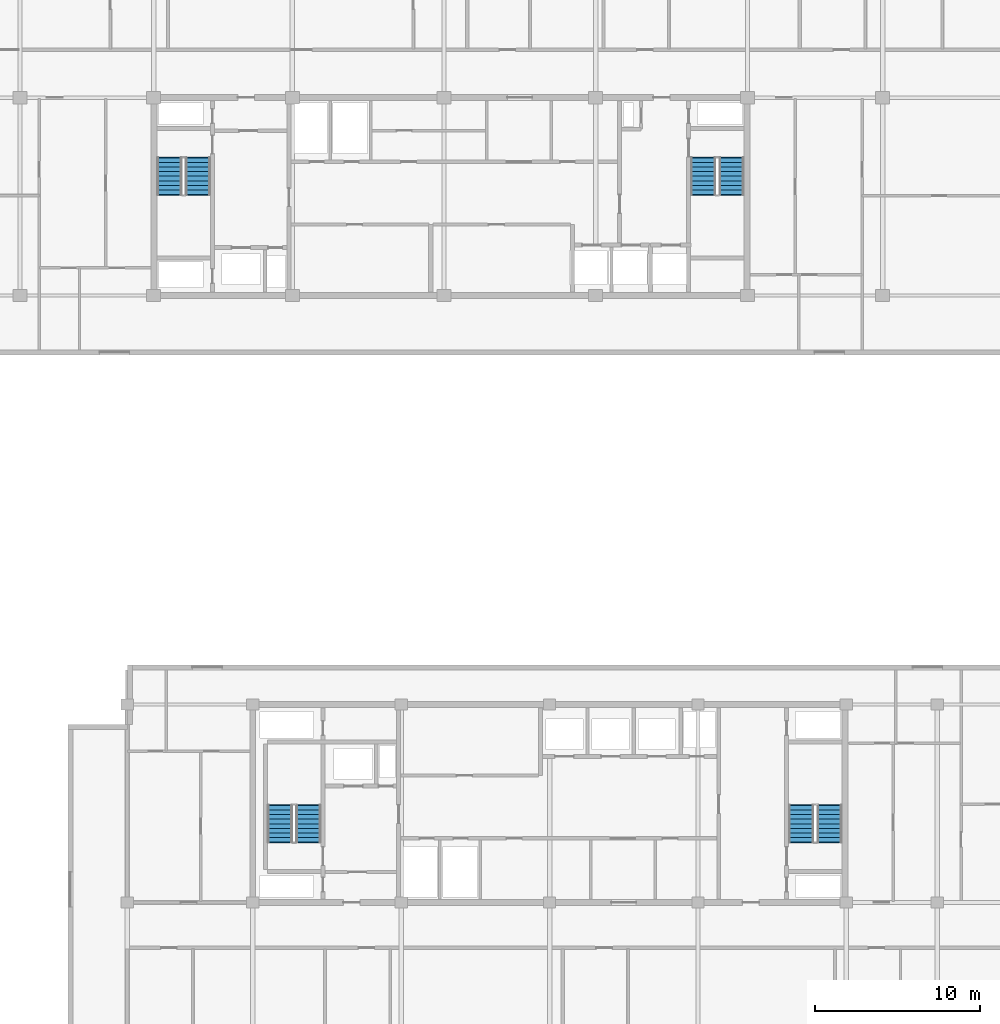
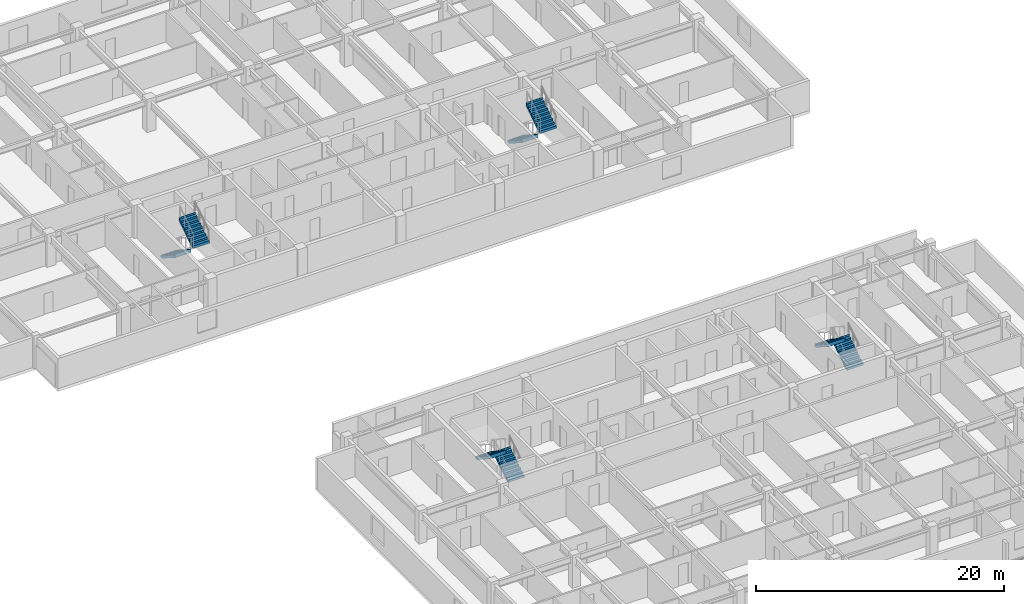
# One storey, part 16 of 21: 8 stair flights, 4 elements without a shape of their own.
"""IFC4 building model written with IfcOpenShell, lengths in metres."""

from ifc_helpers import new_model, si_unit, direction, frame, origin, place, context, subcontext, project, spatial, polyline, outline, extrude, material, type_object, element, aggregate, save


model = new_model("IFC4")

# Units and contexts
model_context = context("Model", 3, precision=1e-05, world=origin(), true_north=direction((0.0, 1.0)))
body_context = subcontext(model_context, "Body", "Model", "MODEL_VIEW")
ifc_project = project(units=[si_unit("LENGTHUNIT", "METRE"), si_unit("AREAUNIT", "SQUARE_METRE"), si_unit("VOLUMEUNIT", "CUBIC_METRE"), si_unit("PLANEANGLEUNIT", "RADIAN"), si_unit("MASSUNIT", "GRAM", prefix="KILO")], contexts=[model_context])

# Site, building, storey
site_placement = place(None, origin())
site = spatial("IfcSite", under=ifc_project, at=site_placement, CompositionType="ELEMENT")
building_placement = place(site_placement, origin())
building = spatial("IfcBuilding", under=site, at=building_placement, Name="Korimba Cascade Residences", CompositionType="ELEMENT")
storey_placement = place(building_placement, frame((0.0, 0.0, 184.85009765625)))
storey = spatial("IfcBuildingStorey", under=building, at=storey_placement, Name="L53", CompositionType="ELEMENT", Elevation=184.85009765625)

# Stair, stair flights
ifc_material = material(Name="Concrete C50/60", Category="concrete")
stair_type_1 = type_object("IfcStairType", Name="STR-W1-18R-1806", PredefinedType="HALF_TURN_STAIR", material=ifc_material)
stair_1_placement = place(storey_placement, origin())
stair_1 = element("IfcStair", 1, at=stair_1_placement, inside=storey, type_object=stair_type_1, Name="L53 Tower 1 West Fire Stair ST-W1", PredefinedType="HALF_TURN_STAIR")
stair_flight_type = type_object("IfcStairFlightType", Name="STF-DL-18R-1806-1520", PredefinedType="STRAIGHT", material=ifc_material)
stair_flight_1_placement = place(storey_placement, frame((77.06005859375, 63.550048828125, 0.0), z_axis=(0.0, 0.0, 1.0), x_axis=(0.0, -1.0, 0.0)))
stair_flight_1 = element("IfcStairFlight", 2, at=stair_flight_1_placement, type_object=stair_flight_type, Name="ST-W1 flight 1", NumberOfRisers=9, NumberOfTreads=8, PredefinedType="STRAIGHT", RiserHeight=0.180555556, TreadLength=0.28, context=body_context, shape_type="SweptSolid", body=[
    extrude(outline(polyline([(-0.0380859375, 0.0), (0.0, 0.1806640625), (0.280029296875, 0.1806640625), (0.280029296875, 0.361083984375), (0.56005859375, 0.361083984375), (0.56005859375, 0.541748046875), (0.840087890625, 0.541748046875), (0.840087890625, 0.72216796875), (1.1201171875, 0.72216796875), (1.1201171875, 0.90283203125), (1.39990234375, 0.90283203125), (1.39990234375, 1.083251953125), (1.679931640625, 1.083251953125), (1.679931640625, 1.263916015625), (1.9599609375, 1.263916015625), (1.9599609375, 1.4443359375), (2.239990234375, 1.4443359375), (2.239990234375, 1.625), (2.278076171875, 1.625), (2.278076171875, 1.26611328125), (0.276611328125, 0.0), (0.276611328125, -0.0380859375), (-0.0380859375, -0.0380859375), (-0.0380859375, 0.0)])), frame((0.0, 0.760009765625, 0.0), z_axis=(0.0, -1.0, 0.0), x_axis=(1.0, 0.0, 0.0)), (0.0, 0.0, 1.0), 1.52001953125),
])
stair_flight_2_placement = place(storey_placement, frame((78.780029296875, 61.31005859375, 1.625), z_axis=(0.0, 0.0, 1.0), x_axis=(0.0, 1.0, 0.0)))
stair_flight_2 = element("IfcStairFlight", 3, at=stair_flight_2_placement, type_object=stair_flight_type, Name="ST-W1 flight 2", NumberOfRisers=9, NumberOfTreads=8, PredefinedType="STRAIGHT", RiserHeight=0.180555556, TreadLength=0.28, context=body_context, shape_type="SweptSolid", body=[
    extrude(outline(polyline([(-0.0380859375, 0.0), (0.0, 0.1806640625), (0.280029296875, 0.1806640625), (0.280029296875, 0.361083984375), (0.56005859375, 0.361083984375), (0.56005859375, 0.541748046875), (0.840087890625, 0.541748046875), (0.840087890625, 0.72216796875), (1.1201171875, 0.72216796875), (1.1201171875, 0.90283203125), (1.39990234375, 0.90283203125), (1.39990234375, 1.083251953125), (1.679931640625, 1.083251953125), (1.679931640625, 1.263916015625), (1.9599609375, 1.263916015625), (1.9599609375, 1.4443359375), (2.239990234375, 1.4443359375), (2.239990234375, 1.625), (2.278076171875, 1.625), (2.278076171875, 1.26611328125), (0.276611328125, 0.0), (0.276611328125, -0.0380859375), (-0.0380859375, -0.0380859375), (-0.0380859375, 0.0)])), frame((0.0, 0.760009765625, 0.0), z_axis=(0.0, -1.0, 0.0), x_axis=(1.0, 0.0, 0.0)), (0.0, 0.0, 1.0), 1.52001953125),
])
aggregate(stair_1, [stair_flight_1, stair_flight_2])

stair_type_2 = type_object("IfcStairType", Name="STR-W2-18R-1806", PredefinedType="HALF_TURN_STAIR", material=ifc_material)
stair_2_placement = place(storey_placement, origin())
stair_2 = element("IfcStair", 4, at=stair_2_placement, inside=storey, type_object=stair_type_2, Name="L53 Tower 1 East Fire Stair ST-W2", PredefinedType="HALF_TURN_STAIR")
stair_flight_3_placement = place(storey_placement, frame((109.419921875, 63.550048828125, 0.0), z_axis=(0.0, 0.0, 1.0), x_axis=(0.0, -1.0, 0.0)))
stair_flight_3 = element("IfcStairFlight", 5, at=stair_flight_3_placement, type_object=stair_flight_type, Name="ST-W2 flight 1", NumberOfRisers=9, NumberOfTreads=8, PredefinedType="STRAIGHT", RiserHeight=0.180555556, TreadLength=0.28, context=body_context, shape_type="SweptSolid", body=[
    extrude(outline(polyline([(-0.0380859375, 0.0), (0.0, 0.1806640625), (0.280029296875, 0.1806640625), (0.280029296875, 0.361083984375), (0.56005859375, 0.361083984375), (0.56005859375, 0.541748046875), (0.840087890625, 0.541748046875), (0.840087890625, 0.72216796875), (1.1201171875, 0.72216796875), (1.1201171875, 0.90283203125), (1.39990234375, 0.90283203125), (1.39990234375, 1.083251953125), (1.679931640625, 1.083251953125), (1.679931640625, 1.263916015625), (1.9599609375, 1.263916015625), (1.9599609375, 1.4443359375), (2.239990234375, 1.4443359375), (2.239990234375, 1.625), (2.278076171875, 1.625), (2.278076171875, 1.26611328125), (0.276611328125, 0.0), (0.276611328125, -0.0380859375), (-0.0380859375, -0.0380859375), (-0.0380859375, 0.0)])), frame((0.0, 0.760009765625, 0.0), z_axis=(0.0, -1.0, 0.0), x_axis=(1.0, 0.0, 0.0)), (0.0, 0.0, 1.0), 1.52001953125),
])
stair_flight_4_placement = place(storey_placement, frame((111.139892578125, 61.31005859375, 1.625), z_axis=(0.0, 0.0, 1.0), x_axis=(0.0, 1.0, 0.0)))
stair_flight_4 = element("IfcStairFlight", 6, at=stair_flight_4_placement, type_object=stair_flight_type, Name="ST-W2 flight 2", NumberOfRisers=9, NumberOfTreads=8, PredefinedType="STRAIGHT", RiserHeight=0.180555556, TreadLength=0.28, context=body_context, shape_type="SweptSolid", body=[
    extrude(outline(polyline([(-0.0380859375, 0.0), (0.0, 0.1806640625), (0.280029296875, 0.1806640625), (0.280029296875, 0.361083984375), (0.56005859375, 0.361083984375), (0.56005859375, 0.541748046875), (0.840087890625, 0.541748046875), (0.840087890625, 0.72216796875), (1.1201171875, 0.72216796875), (1.1201171875, 0.90283203125), (1.39990234375, 0.90283203125), (1.39990234375, 1.083251953125), (1.679931640625, 1.083251953125), (1.679931640625, 1.263916015625), (1.9599609375, 1.263916015625), (1.9599609375, 1.4443359375), (2.239990234375, 1.4443359375), (2.239990234375, 1.625), (2.278076171875, 1.625), (2.278076171875, 1.26611328125), (0.276611328125, 0.0), (0.276611328125, -0.0380859375), (-0.0380859375, -0.0380859375), (-0.0380859375, 0.0)])), frame((0.0, 0.760009765625, 0.0), z_axis=(0.0, -1.0, 0.0), x_axis=(1.0, 0.0, 0.0)), (0.0, 0.0, 1.0), 1.52001953125),
])
aggregate(stair_2, [stair_flight_3, stair_flight_4])

stair_type_3 = type_object("IfcStairType", Name="STR-E1-18R-1806", PredefinedType="HALF_TURN_STAIR", material=ifc_material)
stair_3_placement = place(storey_placement, origin())
stair_3 = element("IfcStair", 7, at=stair_3_placement, inside=storey, type_object=stair_type_3, Name="L53 Tower 2 West Fire Stair ST-E1", PredefinedType="HALF_TURN_STAIR")
stair_flight_5_placement = place(storey_placement, frame((85.47998046875, 22.050048828125, 0.0), z_axis=(0.0, 0.0, 1.0), x_axis=(0.0, 1.0, 0.0)))
stair_flight_5 = element("IfcStairFlight", 8, at=stair_flight_5_placement, type_object=stair_flight_type, Name="ST-E1 flight 1", NumberOfRisers=9, NumberOfTreads=8, PredefinedType="STRAIGHT", RiserHeight=0.180555556, TreadLength=0.28, context=body_context, shape_type="SweptSolid", body=[
    extrude(outline(polyline([(-0.0380859375, 0.0), (0.0, 0.1806640625), (0.280029296875, 0.1806640625), (0.280029296875, 0.361083984375), (0.56005859375, 0.361083984375), (0.56005859375, 0.541748046875), (0.840087890625, 0.541748046875), (0.840087890625, 0.72216796875), (1.1201171875, 0.72216796875), (1.1201171875, 0.90283203125), (1.39990234375, 0.90283203125), (1.39990234375, 1.083251953125), (1.679931640625, 1.083251953125), (1.679931640625, 1.263916015625), (1.9599609375, 1.263916015625), (1.9599609375, 1.4443359375), (2.239990234375, 1.4443359375), (2.239990234375, 1.625), (2.278076171875, 1.625), (2.278076171875, 1.26611328125), (0.276611328125, 0.0), (0.276611328125, -0.0380859375), (-0.0380859375, -0.0380859375), (-0.0380859375, 0.0)])), frame((0.0, 0.760009765625, 0.0), z_axis=(0.0, -1.0, 0.0), x_axis=(1.0, 0.0, 0.0)), (0.0, 0.0, 1.0), 1.52001953125),
])
stair_flight_6_placement = place(storey_placement, frame((83.760009765625, 24.2900390625, 1.625), z_axis=(0.0, 0.0, 1.0), x_axis=(0.0, -1.0, 0.0)))
stair_flight_6 = element("IfcStairFlight", 9, at=stair_flight_6_placement, type_object=stair_flight_type, Name="ST-E1 flight 2", NumberOfRisers=9, NumberOfTreads=8, PredefinedType="STRAIGHT", RiserHeight=0.180555556, TreadLength=0.28, context=body_context, shape_type="SweptSolid", body=[
    extrude(outline(polyline([(-0.0380859375, 0.0), (0.0, 0.1806640625), (0.280029296875, 0.1806640625), (0.280029296875, 0.361083984375), (0.56005859375, 0.361083984375), (0.56005859375, 0.541748046875), (0.840087890625, 0.541748046875), (0.840087890625, 0.72216796875), (1.1201171875, 0.72216796875), (1.1201171875, 0.90283203125), (1.39990234375, 0.90283203125), (1.39990234375, 1.083251953125), (1.679931640625, 1.083251953125), (1.679931640625, 1.263916015625), (1.9599609375, 1.263916015625), (1.9599609375, 1.4443359375), (2.239990234375, 1.4443359375), (2.239990234375, 1.625), (2.278076171875, 1.625), (2.278076171875, 1.26611328125), (0.276611328125, 0.0), (0.276611328125, -0.0380859375), (-0.0380859375, -0.0380859375), (-0.0380859375, 0.0)])), frame((0.0, 0.760009765625, 0.0), z_axis=(0.0, -1.0, 0.0), x_axis=(1.0, 0.0, 0.0)), (0.0, 0.0, 1.0), 1.52001953125),
])
aggregate(stair_3, [stair_flight_5, stair_flight_6])

stair_type_4 = type_object("IfcStairType", Name="STR-E2-18R-1806", PredefinedType="HALF_TURN_STAIR", material=ifc_material)
stair_4_placement = place(storey_placement, origin())
stair_4 = element("IfcStair", 10, at=stair_4_placement, inside=storey, type_object=stair_type_4, Name="L53 Tower 2 East Fire Stair ST-E2", PredefinedType="HALF_TURN_STAIR")
stair_flight_7_placement = place(storey_placement, frame((117.080078125, 22.050048828125, 0.0), z_axis=(0.0, 0.0, 1.0), x_axis=(0.0, 1.0, 0.0)))
stair_flight_7 = element("IfcStairFlight", 11, at=stair_flight_7_placement, type_object=stair_flight_type, Name="ST-E2 flight 1", NumberOfRisers=9, NumberOfTreads=8, PredefinedType="STRAIGHT", RiserHeight=0.180555556, TreadLength=0.28, context=body_context, shape_type="SweptSolid", body=[
    extrude(outline(polyline([(-0.0380859375, 0.0), (0.0, 0.1806640625), (0.280029296875, 0.1806640625), (0.280029296875, 0.361083984375), (0.56005859375, 0.361083984375), (0.56005859375, 0.541748046875), (0.840087890625, 0.541748046875), (0.840087890625, 0.72216796875), (1.1201171875, 0.72216796875), (1.1201171875, 0.90283203125), (1.39990234375, 0.90283203125), (1.39990234375, 1.083251953125), (1.679931640625, 1.083251953125), (1.679931640625, 1.263916015625), (1.9599609375, 1.263916015625), (1.9599609375, 1.4443359375), (2.239990234375, 1.4443359375), (2.239990234375, 1.625), (2.278076171875, 1.625), (2.278076171875, 1.26611328125), (0.276611328125, 0.0), (0.276611328125, -0.0380859375), (-0.0380859375, -0.0380859375), (-0.0380859375, 0.0)])), frame((0.0, 0.760009765625, 0.0), z_axis=(0.0, -1.0, 0.0), x_axis=(1.0, 0.0, 0.0)), (0.0, 0.0, 1.0), 1.52001953125),
])
stair_flight_8_placement = place(storey_placement, frame((115.360107421875, 24.2900390625, 1.625), z_axis=(0.0, 0.0, 1.0), x_axis=(0.0, -1.0, 0.0)))
stair_flight_8 = element("IfcStairFlight", 12, at=stair_flight_8_placement, type_object=stair_flight_type, Name="ST-E2 flight 2", NumberOfRisers=9, NumberOfTreads=8, PredefinedType="STRAIGHT", RiserHeight=0.180555556, TreadLength=0.28, context=body_context, shape_type="SweptSolid", body=[
    extrude(outline(polyline([(-0.0380859375, 0.0), (0.0, 0.1806640625), (0.280029296875, 0.1806640625), (0.280029296875, 0.361083984375), (0.56005859375, 0.361083984375), (0.56005859375, 0.541748046875), (0.840087890625, 0.541748046875), (0.840087890625, 0.72216796875), (1.1201171875, 0.72216796875), (1.1201171875, 0.90283203125), (1.39990234375, 0.90283203125), (1.39990234375, 1.083251953125), (1.679931640625, 1.083251953125), (1.679931640625, 1.263916015625), (1.9599609375, 1.263916015625), (1.9599609375, 1.4443359375), (2.239990234375, 1.4443359375), (2.239990234375, 1.625), (2.278076171875, 1.625), (2.278076171875, 1.26611328125), (0.276611328125, 0.0), (0.276611328125, -0.0380859375), (-0.0380859375, -0.0380859375), (-0.0380859375, 0.0)])), frame((0.0, 0.760009765625, 0.0), z_axis=(0.0, -1.0, 0.0), x_axis=(1.0, 0.0, 0.0)), (0.0, 0.0, 1.0), 1.52001953125),
])
aggregate(stair_4, [stair_flight_7, stair_flight_8])

save(model, "model.ifc")
